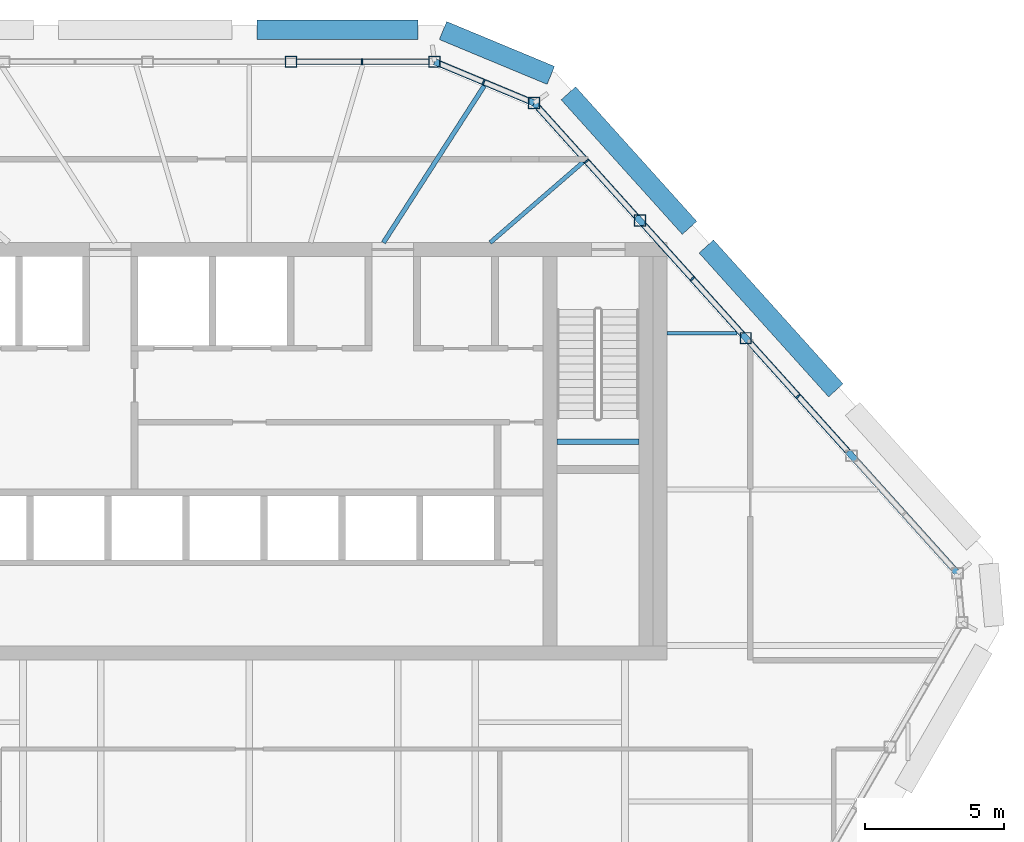
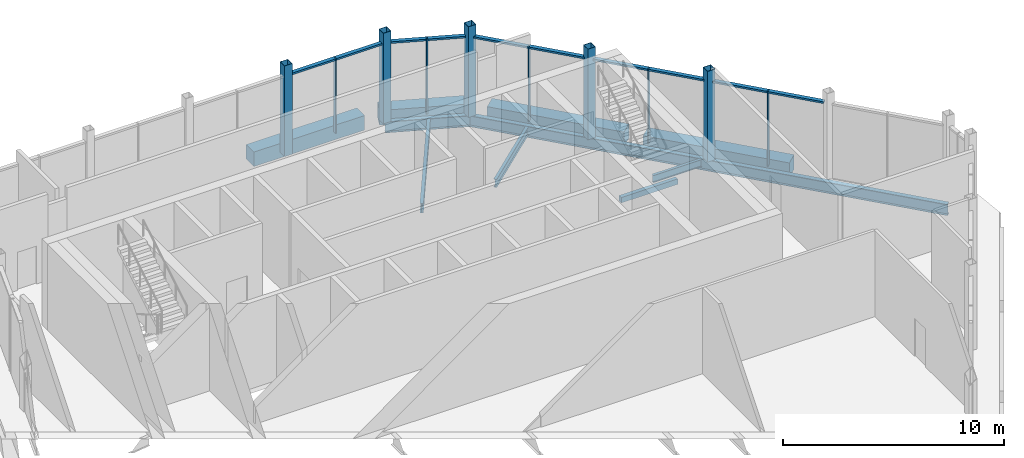
# One storey, part 6 of 12: 20 members, 10 beams, 3 elements without a shape of their own.
"""IFC4 building model written with IfcOpenShell, lengths in metres."""

from ifc_helpers import new_model, si_unit, direction, frame, origin, origin_2d, place, context, subcontext, project, spatial, rectangle, hollow_rectangle, i_section, extrude, material, layer, layer_set, material_profile, profile_set, type_object, element, aggregate, save


model = new_model("IFC4")

# Units and contexts
model_context = context("Model", 3, precision=1e-05, world=origin(), true_north=direction((0.0, 1.0)))
body_context = subcontext(model_context, "Body", "Model", "MODEL_VIEW")
ifc_project = project(units=[si_unit("LENGTHUNIT", "METRE"), si_unit("AREAUNIT", "SQUARE_METRE"), si_unit("VOLUMEUNIT", "CUBIC_METRE"), si_unit("PLANEANGLEUNIT", "RADIAN"), si_unit("MASSUNIT", "GRAM", prefix="KILO")], contexts=[model_context])

# Site, building, storey
site_placement = place(None, origin())
site = spatial("IfcSite", under=ifc_project, at=site_placement, CompositionType="ELEMENT")
building_placement = place(site_placement, origin())
building = spatial("IfcBuilding", under=site, at=building_placement, Name="Isthmus Gate Tower", CompositionType="ELEMENT")
storey_placement = place(building_placement, frame((0.0, 0.0, 301.10009765625)))
storey = spatial("IfcBuildingStorey", under=building, at=storey_placement, Name="C1", CompositionType="ELEMENT", Elevation=301.10009765625)

# Members
ifc_material_1 = material(Name="Structural steel ASTM A500 Gr C", Category="steel")
ifc_material_profile_1 = material_profile(ifc_material_1, hollow_rectangle(XDim=0.406494140625, YDim=0.406494140625, WallThickness=0.017578125, at=origin_2d()), Name="HSS16X16X3/4")
ifc_profile_set_1 = profile_set([ifc_material_profile_1], Name="Structural steel ASTM A500 Gr C")
member_type_1 = type_object("IfcMemberType", Name="CROWN POST HSS16X16X3/4", PredefinedType="POST", material=ifc_profile_set_1)
for number, where, z_axis, x_axis, name in (
    (1, (6.659912109375, 21.5, -0.25), (0.0, 0.0, 1.0), (1.0, 0.0, 0.0), "str-crownpost-C1-01"),
    (2, (1.502685546875, 21.5, -0.25), (0.0, 0.0, 1.0), (1.0, 0.0, 0.0), "str-crownpost-C1-02"),
    (3, (17.83984375, 11.567138671875, -0.25), (0.0, 0.0, 1.0), (1.0, 0.0, 0.0), "str-crownpost-C1-28"),
    (4, (14.037109375, 15.790283203125, -0.25), (0.0, 0.0, 1.0), (1.0, 0.0, 0.0), "str-crownpost-C1-29"),
    (5, (10.234375, 20.013671875, -0.25), (0.0, 0.0, 1.0), (1.0, 0.0, 0.0), "str-crownpost-C1-30"),
):
    element("IfcMember", number, at=place(storey_placement, frame(where, z_axis=z_axis, x_axis=x_axis)), inside=storey, type_object=member_type_1, Name=name, PredefinedType="POST", context=body_context, shape_type="SweptSolid", body=[
        extrude(hollow_rectangle(XDim=0.406494140625, YDim=0.406494140625, WallThickness=0.017578125, at=origin_2d()), origin(), (0.0, 0.0, 1.0), 5.0),
    ])

# Beams
ifc_material_2 = material(Name="Structural steel ASTM A992 Gr 50", Category="steel")
ifc_material_profile_2 = material_profile(ifc_material_2, i_section(OverallWidth=0.231689453125, OverallDepth=0.615966796875, WebThickness=0.0126953125, FlangeThickness=0.022216796875, at=origin_2d()), Name="W24X94")
ifc_profile_set_2 = profile_set([ifc_material_profile_2], Name="Structural steel ASTM A992 Gr 50")
beam_type_1 = type_object("IfcBeamType", Name="CROWN RING BEAM W24X94", PredefinedType="BEAM", material=ifc_profile_set_2)
beam_1_placement = place(storey_placement, frame((25.445068359375, 3.120361328125, -0.55810546875), z_axis=(-0.669127890755, 0.743147270609, 0.0), x_axis=(-0.743147270609, -0.669127890755, 0.0)))
element("IfcBeam", 6, at=beam_1_placement, inside=storey, type_object=beam_type_1, Name="str-crownring-C1-10", PredefinedType="BEAM", context=body_context, shape_type="SweptSolid", body=[
    extrude(i_section(OverallWidth=0.231689453125, OverallDepth=0.615966796875, WebThickness=0.0126953125, FlangeThickness=0.022216796875, at=origin_2d()), origin(), (0.0, 0.0, 1.0), 22.732177734375),
])
beam_2_placement = place(storey_placement, frame((10.234375, 20.013671875, -0.55810546875), z_axis=(-0.923354696389, 0.383948049424, 0.0), x_axis=(-0.383948049424, -0.923354696389, 0.0)))
element("IfcBeam", 7, at=beam_2_placement, inside=storey, type_object=beam_type_1, Name="str-crownring-C1-11", PredefinedType="BEAM", context=body_context, shape_type="SweptSolid", body=[
    extrude(i_section(OverallWidth=0.231689453125, OverallDepth=0.615966796875, WebThickness=0.0126953125, FlangeThickness=0.022216796875, at=origin_2d()), origin(), (0.0, 0.0, 1.0), 3.87109375),
])

# Curtain wall, member
ifc_material_3 = material(Name="Aluminium, pale champagne anodised", Category="aluminium")
ifc_layer = layer(ifc_material_3, 0.199951171875)
ifc_layer_set = layer_set([ifc_layer], Name="CW-2 LOUVRE CURTAIN WALL 200 DEEP")
curtain_wall_type = type_object("IfcCurtainWallType", Name="CW-2 LOUVRE CURTAIN WALL 200 DEEP", PredefinedType="NOTDEFINED", material=ifc_layer_set)
curtain_wall_1_placement = place(storey_placement, origin())
curtain_wall_1 = element("IfcCurtainWall", 8, at=curtain_wall_1_placement, inside=storey, type_object=curtain_wall_type, Name="CW-2 E00 C1", PredefinedType="NOTDEFINED")
ifc_material_4 = material(Name="Aluminium, pale champagne anodised", Category="aluminium")
ifc_material_profile_3 = material_profile(ifc_material_4, rectangle(XDim=0.06005859375, YDim=0.199951171875, at=origin_2d()), Name="60x200")
ifc_profile_set_3 = profile_set([ifc_material_profile_3], Name="Aluminium, pale champagne anodised")
member_type_2 = type_object("IfcMemberType", Name="CW-2 MULLION 60 X 200", PredefinedType="MULLION", material=ifc_profile_set_3)
member_1_placement = place(storey_placement, frame((4.05126953125, 21.5, 0.0), z_axis=(0.0, 0.0, 1.0), x_axis=(-1.0, 0.0, 0.0)))
member_1 = element("IfcMember", 9, at=member_1_placement, type_object=member_type_2, Name="CW-2 mullion", PredefinedType="MULLION", context=body_context, shape_type="SweptSolid", body=[
    extrude(rectangle(XDim=0.06005859375, YDim=0.199951171875, at=origin_2d()), origin(), (0.0, 0.0, 1.0), 4.134033203125),
])

# Curtain wall, members
curtain_wall_2_placement = place(storey_placement, origin())
curtain_wall_2 = element("IfcCurtainWall", 10, at=curtain_wall_2_placement, inside=storey, type_object=curtain_wall_type, Name="CW-2 E10 C1", PredefinedType="NOTDEFINED")
member_2_placement = place(storey_placement, frame((19.720947265625, 9.477783203125, 0.0), z_axis=(0.0, 0.0, 1.0), x_axis=(-0.669130606359, 0.743144825477, 0.0)))
member_2 = element("IfcMember", 11, at=member_2_placement, type_object=member_type_2, Name="CW-2 mullion", PredefinedType="MULLION", context=body_context, shape_type="SweptSolid", body=[
    extrude(rectangle(XDim=0.06005859375, YDim=0.199951171875, at=origin_2d()), origin(), (0.0, 0.0, 1.0), 4.134033203125),
])
member_3_placement = place(storey_placement, frame((15.918212890625, 13.700927734375, 0.0), z_axis=(0.0, 0.0, 1.0), x_axis=(-0.669130606359, 0.743144825477, 0.0)))
member_3 = element("IfcMember", 12, at=member_3_placement, type_object=member_type_2, Name="CW-2 mullion", PredefinedType="MULLION", context=body_context, shape_type="SweptSolid", body=[
    extrude(rectangle(XDim=0.06005859375, YDim=0.199951171875, at=origin_2d()), origin(), (0.0, 0.0, 1.0), 4.134033203125),
])
member_4_placement = place(storey_placement, frame((12.11572265625, 17.92431640625, 0.0), z_axis=(0.0, 0.0, 1.0), x_axis=(-0.669130606359, 0.743144825477, 0.0)))
member_4 = element("IfcMember", 13, at=member_4_placement, type_object=member_type_2, Name="CW-2 mullion", PredefinedType="MULLION", context=body_context, shape_type="SweptSolid", body=[
    extrude(rectangle(XDim=0.06005859375, YDim=0.199951171875, at=origin_2d()), origin(), (0.0, 0.0, 1.0), 4.134033203125),
])

# Curtain wall, member
curtain_wall_3_placement = place(storey_placement, origin())
curtain_wall_3 = element("IfcCurtainWall", 14, at=curtain_wall_3_placement, inside=storey, type_object=curtain_wall_type, Name="CW-2 E11 C1", PredefinedType="NOTDEFINED")
member_5_placement = place(storey_placement, frame((8.41943359375, 20.768310546875, 0.0), z_axis=(0.0, 0.0, 1.0), x_axis=(-0.923353128387, 0.383951820282, 0.0)))
member_5 = element("IfcMember", 15, at=member_5_placement, type_object=member_type_2, Name="CW-2 mullion", PredefinedType="MULLION", context=body_context, shape_type="SweptSolid", body=[
    extrude(rectangle(XDim=0.06005859375, YDim=0.199951171875, at=origin_2d()), origin(), (0.0, 0.0, 1.0), 4.134033203125),
])

# Member
ifc_material_5 = material(Name="Aluminium, pale champagne anodised", Category="aluminium")
ifc_material_profile_4 = material_profile(ifc_material_5, rectangle(XDim=0.199951171875, YDim=0.10009765625, at=origin_2d()), Name="200x100")
ifc_profile_set_4 = profile_set([ifc_material_profile_4], Name="Aluminium, pale champagne anodised")
member_type_3 = type_object("IfcMemberType", Name="CW-2 TRANSOM 200 X 100", PredefinedType="USERDEFINED", material=ifc_profile_set_4)
member_6_placement = place(storey_placement, frame((6.456787109375, 21.5, 4.083984375), z_axis=(-1.0, 0.0, 0.0), x_axis=(0.0, -1.0, 0.0)))
member_6 = element("IfcMember", 16, at=member_6_placement, type_object=member_type_3, Name="CW-2 transom", ObjectType="TRANSOM", PredefinedType="USERDEFINED", context=body_context, shape_type="SweptSolid", body=[
    extrude(rectangle(XDim=0.199951171875, YDim=0.10009765625, at=origin_2d()), origin(), (0.0, 0.0, 1.0), 2.37548828125),
])

member_7_placement = place(storey_placement, frame((4.021240234375, 21.5, 4.083984375), z_axis=(-1.0, 0.0, 0.0), x_axis=(0.0, -1.0, 0.0)))
member_7 = element("IfcMember", 17, at=member_7_placement, type_object=member_type_3, Name="CW-2 transom", ObjectType="TRANSOM", PredefinedType="USERDEFINED", context=body_context, shape_type="SweptSolid", body=[
    extrude(rectangle(XDim=0.199951171875, YDim=0.10009765625, at=origin_2d()), origin(), (0.0, 0.0, 1.0), 2.3154296875),
])

aggregate(curtain_wall_1, [member_6, member_1, member_7])

member_8_placement = place(storey_placement, frame((21.50634765625, 7.494873046875, 4.083984375), z_axis=(-0.669169218402, 0.743110057221, 0.0), x_axis=(-0.743110057221, -0.669169218402, 0.0)))
member_8 = element("IfcMember", 18, at=member_8_placement, type_object=member_type_3, Name="CW-2 transom", ObjectType="TRANSOM", PredefinedType="USERDEFINED", context=body_context, shape_type="SweptSolid", body=[
    extrude(rectangle(XDim=0.199951171875, YDim=0.10009765625, at=origin_2d()), origin(), (0.0, 0.0, 1.0), 2.63818359375),
])

member_9_placement = place(storey_placement, frame((19.700927734375, 9.5, 4.083984375), z_axis=(-0.669163501195, 0.743115205516, 0.0), x_axis=(-0.743115205516, -0.669163501195, 0.0)))
member_9 = element("IfcMember", 19, at=member_9_placement, type_object=member_type_3, Name="CW-2 transom", ObjectType="TRANSOM", PredefinedType="USERDEFINED", context=body_context, shape_type="SweptSolid", body=[
    extrude(rectangle(XDim=0.199951171875, YDim=0.10009765625, at=origin_2d()), origin(), (0.0, 0.0, 1.0), 2.578369140625),
])

member_10_placement = place(storey_placement, frame((17.703857421875, 11.718017578125, 4.083984375), z_axis=(-0.669123202395, 0.74315149197, 0.0), x_axis=(-0.74315149197, -0.669123202395, 0.0)))
member_10 = element("IfcMember", 20, at=member_10_placement, type_object=member_type_3, Name="CW-2 transom", ObjectType="TRANSOM", PredefinedType="USERDEFINED", context=body_context, shape_type="SweptSolid", body=[
    extrude(rectangle(XDim=0.199951171875, YDim=0.10009765625, at=origin_2d()), origin(), (0.0, 0.0, 1.0), 2.638427734375),
])

member_11_placement = place(storey_placement, frame((15.898193359375, 13.723388671875, 4.083984375), z_axis=(-0.669111207332, 0.743162291981, 0.0), x_axis=(-0.743162291981, -0.669111207332, 0.0)))
member_11 = element("IfcMember", 21, at=member_11_placement, type_object=member_type_3, Name="CW-2 transom", ObjectType="TRANSOM", PredefinedType="USERDEFINED", context=body_context, shape_type="SweptSolid", body=[
    extrude(rectangle(XDim=0.199951171875, YDim=0.10009765625, at=origin_2d()), origin(), (0.0, 0.0, 1.0), 2.578125),
])

member_12_placement = place(storey_placement, frame((13.901123046875, 15.94140625, 4.083984375), z_axis=(-0.669123202395, 0.74315149197, 0.0), x_axis=(-0.74315149197, -0.669123202395, 0.0)))
member_12 = element("IfcMember", 22, at=member_12_placement, type_object=member_type_3, Name="CW-2 transom", ObjectType="TRANSOM", PredefinedType="USERDEFINED", context=body_context, shape_type="SweptSolid", body=[
    extrude(rectangle(XDim=0.199951171875, YDim=0.10009765625, at=origin_2d()), origin(), (0.0, 0.0, 1.0), 2.638427734375),
])

member_13_placement = place(storey_placement, frame((12.095458984375, 17.946533203125, 4.083984375), z_axis=(-0.669064121693, 0.743204683155, 0.0), x_axis=(-0.743204683155, -0.669064121693, 0.0)))
member_13 = element("IfcMember", 23, at=member_13_placement, type_object=member_type_3, Name="CW-2 transom", ObjectType="TRANSOM", PredefinedType="USERDEFINED", context=body_context, shape_type="SweptSolid", body=[
    extrude(rectangle(XDim=0.199951171875, YDim=0.10009765625, at=origin_2d()), origin(), (0.0, 0.0, 1.0), 2.578369140625),
])

aggregate(curtain_wall_2, [member_8, member_2, member_9, member_10, member_3, member_11, member_12, member_4, member_13])

member_14_placement = place(storey_placement, frame((10.046630859375, 20.091796875, 4.083984375), z_axis=(-0.923356075221, 0.383944733461, 0.0), x_axis=(-0.383944733461, -0.923356075221, 0.0)))
member_14 = element("IfcMember", 24, at=member_14_placement, type_object=member_type_3, Name="CW-2 transom", ObjectType="TRANSOM", PredefinedType="USERDEFINED", context=body_context, shape_type="SweptSolid", body=[
    extrude(rectangle(XDim=0.199951171875, YDim=0.10009765625, at=origin_2d()), origin(), (0.0, 0.0, 1.0), 1.732177734375),
])

member_15_placement = place(storey_placement, frame((8.391845703125, 20.77978515625, 4.083984375), z_axis=(-0.923357418254, 0.383941503559, 0.0), x_axis=(-0.383941503559, -0.923357418254, 0.0)))
member_15 = element("IfcMember", 25, at=member_15_placement, type_object=member_type_3, Name="CW-2 transom", ObjectType="TRANSOM", PredefinedType="USERDEFINED", context=body_context, shape_type="SweptSolid", body=[
    extrude(rectangle(XDim=0.199951171875, YDim=0.10009765625, at=origin_2d()), origin(), (0.0, 0.0, 1.0), 1.67236328125),
])

aggregate(curtain_wall_3, [member_14, member_5, member_15])

# Beams
ifc_material_6 = material(Name="Concrete f'c 50 MPa", Category="concrete")
ifc_material_profile_5 = material_profile(ifc_material_6, rectangle(XDim=0.699951171875, YDim=0.800048828125, at=origin_2d()), Name="RC 700X800")
ifc_profile_set_5 = profile_set([ifc_material_profile_5], Name="Concrete f'c 50 MPa")
beam_type_2 = type_object("IfcBeamType", Name="RC ROOF RING BEAM 700 X 800", PredefinedType="BEAM", material=ifc_profile_set_5)
beam_3_placement = place(storey_placement, frame((6.95947265625, 22.620849609375, -0.650146484375), z_axis=(0.923360646135, -0.383933740597, 0.0), x_axis=(0.383933740597, 0.923360646135, 0.0)))
element("IfcBeam", 26, at=beam_3_placement, inside=storey, type_object=beam_type_2, Name="str-roofring-C1-00", PredefinedType="BEAM", context=body_context, shape_type="SweptSolid", body=[
    extrude(rectangle(XDim=0.699951171875, YDim=0.800048828125, at=origin_2d()), origin(), (0.0, 0.0, 1.0), 4.19677734375),
])
beam_4_placement = place(storey_placement, frame((11.46484375, 20.36572265625, -0.650146484375), z_axis=(0.669122265754, -0.743152335307, 0.0), x_axis=(0.743152335307, 0.669122265754, 0.0)))
element("IfcBeam", 27, at=beam_4_placement, inside=storey, type_object=beam_type_2, Name="str-roofring-C1-01", PredefinedType="BEAM", context=body_context, shape_type="SweptSolid", body=[
    extrude(rectangle(XDim=0.699951171875, YDim=0.800048828125, at=origin_2d()), origin(), (0.0, 0.0, 1.0), 6.506591796875),
])
beam_5_placement = place(storey_placement, frame((16.4208984375, 14.861572265625, -0.650146484375), z_axis=(0.669131458307, -0.743144058379, 0.0), x_axis=(0.743144058379, 0.669131458307, 0.0)))
element("IfcBeam", 28, at=beam_5_placement, inside=storey, type_object=beam_type_2, Name="str-roofring-C1-02", PredefinedType="BEAM", context=body_context, shape_type="SweptSolid", body=[
    extrude(rectangle(XDim=0.699951171875, YDim=0.800048828125, at=origin_2d()), origin(), (0.0, 0.0, 1.0), 6.956787109375),
])
beam_6_placement = place(storey_placement, frame((0.27490234375, 22.64990234375, -0.650146484375), z_axis=(1.0, 0.0, 0.0), x_axis=(0.0, 1.0, 0.0)))
element("IfcBeam", 29, at=beam_6_placement, inside=storey, type_object=beam_type_2, Name="str-roofring-C1-23", PredefinedType="BEAM", context=body_context, shape_type="SweptSolid", body=[
    extrude(rectangle(XDim=0.699951171875, YDim=0.800048828125, at=origin_2d()), origin(), (0.0, 0.0, 1.0), 5.784423828125),
])
ifc_material_7 = material(Name="Concrete f'c 40 MPa", Category="concrete")
ifc_material_profile_6 = material_profile(ifc_material_7, rectangle(XDim=0.199951171875, YDim=0.300048828125, at=origin_2d()), Name="STAIR LANDING BEAM RC 200 X 300")
ifc_profile_set_6 = profile_set([ifc_material_profile_6], Name="Concrete f'c 40 MPa")
beam_type_3 = type_object("IfcBeamType", Name="STAIR LANDING BEAM RC 200 X 300", PredefinedType="BEAM", material=ifc_profile_set_6)
beam_7_placement = place(storey_placement, frame((11.050048828125, 7.840087890625, 2.14990234375), z_axis=(1.0, 0.0, 0.0), x_axis=(0.0, 1.0, 0.0)))
element("IfcBeam", 30, at=beam_7_placement, inside=storey, type_object=beam_type_3, Name="C1 ST2 landing beam 1", PredefinedType="BEAM", context=body_context, shape_type="SweptSolid", body=[
    extrude(rectangle(XDim=0.199951171875, YDim=0.300048828125, at=origin_2d()), origin(), (0.0, 0.0, 1.0), 2.949951171875),
])
ifc_material_8 = material(Name="Structural steel ASTM A992 Gr 50", Category="steel")
ifc_material_profile_7 = material_profile(ifc_material_8, i_section(OverallWidth=0.1396484375, OverallDepth=0.4033203125, WebThickness=0.00634765625, FlangeThickness=0.010986328125, at=origin_2d()), Name="W16X31")
ifc_profile_set_7 = profile_set([ifc_material_profile_7], Name="Structural steel ASTM A992 Gr 50")
beam_type_4 = type_object("IfcBeamType", Name="STEEL FLOOR BEAM W16X31", PredefinedType="JOIST", material=ifc_profile_set_7)
beam_8_placement = place(storey_placement, frame((15.0, 11.742919921875, -0.45166015625), z_axis=(1.0, 0.0, 0.0), x_axis=(0.0, 1.0, 0.0)))
element("IfcBeam", 31, at=beam_8_placement, inside=storey, type_object=beam_type_4, Name="str-beam-C1-10-04", PredefinedType="JOIST", context=body_context, shape_type="SweptSolid", body=[
    extrude(i_section(OverallWidth=0.1396484375, OverallDepth=0.4033203125, WebThickness=0.00634765625, FlangeThickness=0.010986328125, at=origin_2d()), origin(), (0.0, 0.0, 1.0), 2.525390625),
])
ifc_material_9 = material(Name="Structural steel ASTM A992 Gr 50", Category="steel")
ifc_material_profile_8 = material_profile(ifc_material_9, i_section(OverallWidth=0.15234375, OverallDepth=0.45068359375, WebThickness=0.0078125, FlangeThickness=0.010986328125, at=origin_2d()), Name="W18X35")
ifc_profile_set_8 = profile_set([ifc_material_profile_8], Name="Structural steel ASTM A992 Gr 50")
beam_type_5 = type_object("IfcBeamType", Name="STEEL FLOOR BEAM W18X35", PredefinedType="JOIST", material=ifc_profile_set_8)
beam_9_placement = place(storey_placement, frame((8.655517578125, 15.0, -0.4755859375), z_axis=(0.755758442091, 0.654850499892, 0.0), x_axis=(-0.654850499892, 0.755758442091, 0.0)))
element("IfcBeam", 32, at=beam_9_placement, inside=storey, type_object=beam_type_5, Name="str-beam-C1-03-00", PredefinedType="JOIST", context=body_context, shape_type="SweptSolid", body=[
    extrude(i_section(OverallWidth=0.15234375, OverallDepth=0.45068359375, WebThickness=0.0078125, FlangeThickness=0.010986328125, at=origin_2d()), origin(), (0.0, 0.0, 1.0), 4.4130859375),
])
ifc_material_10 = material(Name="Structural steel ASTM A992 Gr 50", Category="steel")
ifc_material_profile_9 = material_profile(ifc_material_10, i_section(OverallWidth=0.1650390625, OverallDepth=0.52392578125, WebThickness=0.009521484375, FlangeThickness=0.010986328125, at=origin_2d()), Name="W21X44")
ifc_profile_set_9 = profile_set([ifc_material_profile_9], Name="Structural steel ASTM A992 Gr 50")
beam_type_6 = type_object("IfcBeamType", Name="STEEL FLOOR BEAM W21X44", PredefinedType="JOIST", material=ifc_profile_set_9)
beam_10_placement = place(storey_placement, frame((4.820068359375, 15.0, -0.511962890625), z_axis=(0.540623083696, 0.841264929363, 0.0), x_axis=(-0.841264929363, 0.540623083696, 0.0)))
element("IfcBeam", 33, at=beam_10_placement, inside=storey, type_object=beam_type_6, Name="str-beam-C1-03-01", PredefinedType="JOIST", context=body_context, shape_type="SweptSolid", body=[
    extrude(i_section(OverallWidth=0.1650390625, OverallDepth=0.52392578125, WebThickness=0.009521484375, FlangeThickness=0.010986328125, at=origin_2d()), origin(), (0.0, 0.0, 1.0), 6.697021484375),
])

save(model, "model.ifc")
